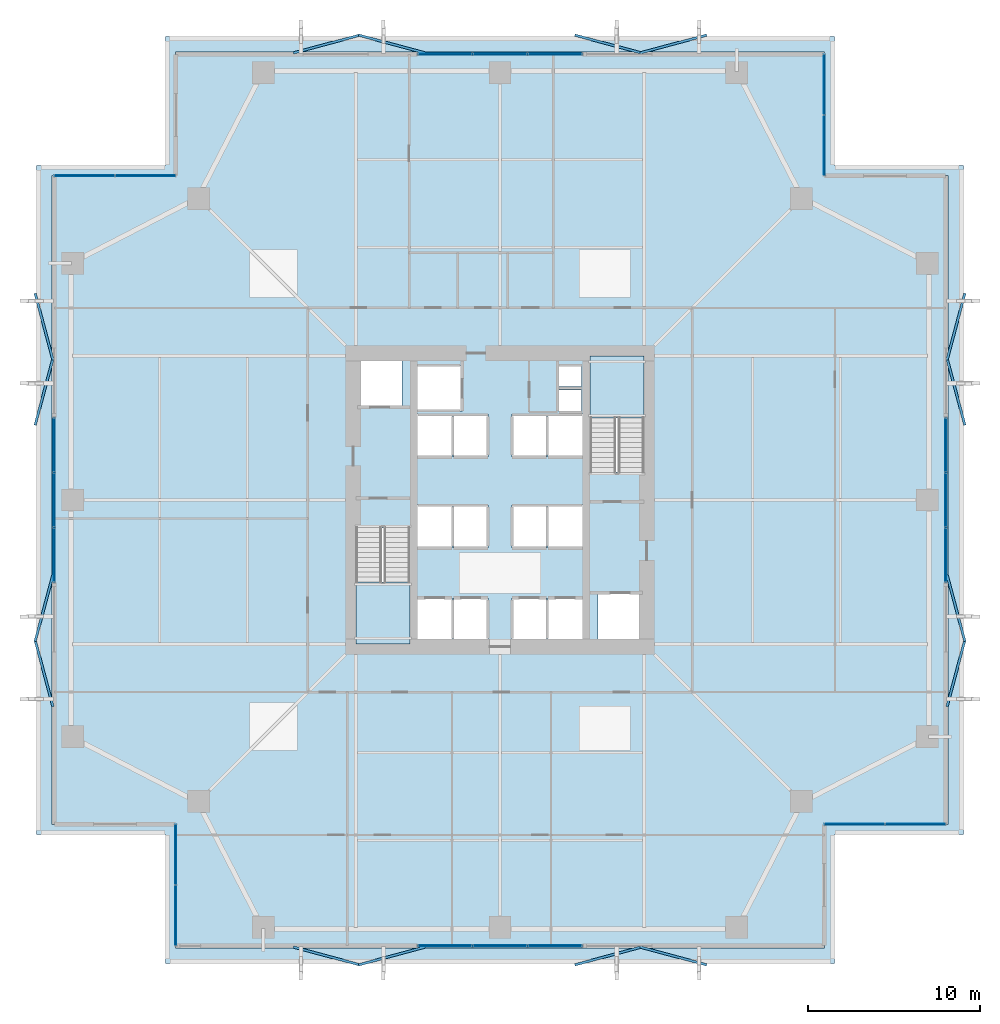
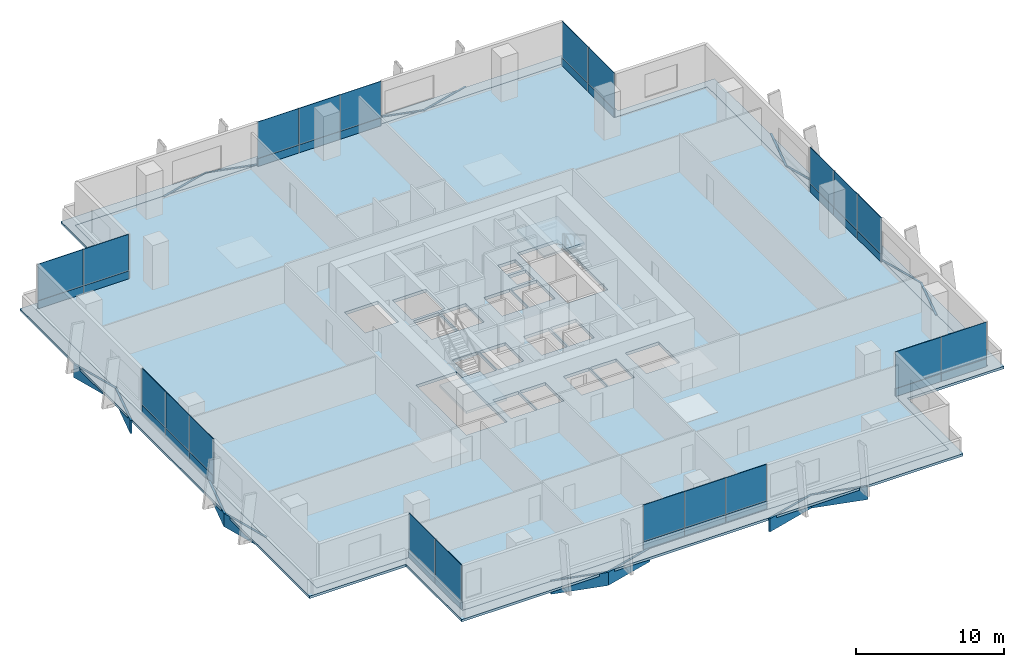
# One storey, part 29 of 34: 56 plates, 4 slabs, 10 elements without a shape of their own.
"""IFC4 building model written with IfcOpenShell, lengths in metres."""

import ifcopenshell
import ifcopenshell.guid

model = None  # the IFC model being written
_history = None  # IfcOwnerHistory: only IFC2X3 demands one
_inside = {}  # id of a spatial element -> (the spatial element, [elements in it])
_under = {}  # id of a project, library or spatial element -> (it, [spatial elements below it])
_declared = {}  # id of a project -> (the project, [libraries it declares])
_typed = {}  # id of a type object -> (the type object, [elements of that type])
_made_of = {}  # id of a material, layer set ... -> (it, [elements and type objects made of it])


def new_model(schema):
    """Start an empty IFC model of exactly this schema.

    Asked for "IFC4X3", IfcOpenShell would pick the latest addendum, in which some entities
    have other attributes; the version numbers below select the first issue.
    IFC2X3 requires an IfcOwnerHistory on every rooted entity: one is made here for all.
    """
    global model, _history
    if schema == "IFC4X3":
        model = ifcopenshell.file(schema_version=(4, 3, 0, 0))
    else:
        model = ifcopenshell.file(schema=schema)
    _inside.clear()
    _under.clear()
    _declared.clear()
    _typed.clear()
    _made_of.clear()
    _history = None
    if model.schema == "IFC2X3":
        org = make("IfcOrganization", Name="unknown")
        user = make(
            "IfcPersonAndOrganization",
            ThePerson=make("IfcPerson", FamilyName="unknown"),
            TheOrganization=org,
        )
        app = make(
            "IfcApplication",
            ApplicationDeveloper=org,
            Version="unknown",
            ApplicationFullName="unknown",
            ApplicationIdentifier="unknown",
        )
        _history = make(
            "IfcOwnerHistory",
            OwningUser=user,
            OwningApplication=app,
            ChangeAction="ADDED",
            CreationDate=0,
        )
    return model


def make(cls, **values):
    """One entity of the class cls with the attributes given. An attribute that is None is left unset."""
    return model.create_entity(
        cls, **{name: value for name, value in values.items() if value is not None}
    )


def rooted(cls, **values):
    """An entity with a GlobalId (a new one), such as an element, a storey or a relation."""
    return make(cls, GlobalId=ifcopenshell.guid.new(), OwnerHistory=_history, **values)


def si_unit(unit_type, name, prefix=None):
    """IfcSIUnit, for example si_unit("LENGTHUNIT", "METRE", prefix="MILLI")."""
    return make("IfcSIUnit", UnitType=unit_type, Prefix=prefix, Name=name)


def assignment(units):
    """IfcUnitAssignment: the units of a project."""
    return None if units is None else make("IfcUnitAssignment", Units=units)


def point(xyz):
    """IfcCartesianPoint."""
    return None if xyz is None else make("IfcCartesianPoint", Coordinates=xyz)


def direction(xyz):
    """IfcDirection."""
    return None if xyz is None else make("IfcDirection", DirectionRatios=xyz)


def frame(location, z_axis=None, x_axis=None):
    """IfcAxis2Placement3D, a coordinate frame: its origin and axes. An axis left out is left unset."""
    return make(
        "IfcAxis2Placement3D",
        Location=point(location),
        Axis=direction(z_axis),
        RefDirection=direction(x_axis),
    )


def frame_2d(location, x_axis=None):
    """IfcAxis2Placement2D, a coordinate frame in the plane: its origin and x axis."""
    return make(
        "IfcAxis2Placement2D", Location=point(location), RefDirection=direction(x_axis)
    )


def origin():
    """The frame at (0, 0, 0) with its axes left unset."""
    return frame((0.0, 0.0, 0.0))


def origin_2d():
    """The frame at (0, 0) in the plane with its x axis left unset."""
    return frame_2d((0.0, 0.0))


def place(relative_to, where):
    """IfcLocalPlacement: puts the frame where relative to a parent placement (None: the world)."""
    return make(
        "IfcLocalPlacement", PlacementRelTo=relative_to, RelativePlacement=where
    )


def context(
    kind, dimensions, precision=None, world=None, true_north=None, identifier=None
):
    """IfcGeometricRepresentationContext, for example the 3D "Model" context."""
    return make(
        "IfcGeometricRepresentationContext",
        ContextIdentifier=identifier,
        ContextType=kind,
        CoordinateSpaceDimension=dimensions,
        Precision=precision,
        WorldCoordinateSystem=world,
        TrueNorth=true_north,
    )


def subcontext(parent, identifier, kind, view, scale=None):
    """IfcGeometricRepresentationSubContext, for example "Body" below "Model"."""
    return make(
        "IfcGeometricRepresentationSubContext",
        ContextIdentifier=identifier,
        ContextType=kind,
        ParentContext=parent,
        TargetScale=scale,
        TargetView=view,
    )


def project(units=None, contexts=None):
    """IfcProject with its units and contexts."""
    return rooted(
        "IfcProject",
        Name="project",
        RepresentationContexts=contexts,
        UnitsInContext=assignment(units),
    )


def spatial(cls, under=None, at=None, **own):
    """A site, building, storey or space (cls), placed at a placement, below another one or the project."""
    s = rooted(cls, ObjectPlacement=at, **own)
    if under is not None:
        _under.setdefault(under.id(), (under, []))[1].append(s)
    return s


def polyline(points):
    """IfcPolyline through the points."""
    return make("IfcPolyline", Points=[point(p) for p in points])


def profile(cls, at=None, kind="AREA", **sizes):
    """A parametric profile (cls). Its sizes go by their IFC names, for example OverallWidth=200.0."""
    return make(cls, ProfileType=kind, Position=at, **sizes)


def rectangle(**sizes):
    """IfcRectangleProfileDef."""
    return profile("IfcRectangleProfileDef", **sizes)


def outline(outer, holes=None, kind="AREA"):
    """IfcArbitraryClosedProfileDef: a profile drawn as a closed curve; with holes, ...WithVoids."""
    if holes is None:
        return make("IfcArbitraryClosedProfileDef", ProfileType=kind, OuterCurve=outer)
    return make(
        "IfcArbitraryProfileDefWithVoids",
        ProfileType=kind,
        OuterCurve=outer,
        InnerCurves=holes,
    )


def extrude(swept, where, along, depth):
    """IfcExtrudedAreaSolid: the profile swept, set in the frame where, extruded along a direction by depth."""
    return make(
        "IfcExtrudedAreaSolid",
        SweptArea=swept,
        Position=where,
        ExtrudedDirection=direction(along),
        Depth=depth,
    )


def shape(context_of_items, identifier, shape_type, items):
    """IfcShapeRepresentation: the items that make up one representation, for example the "Body"."""
    return make(
        "IfcShapeRepresentation",
        ContextOfItems=context_of_items,
        RepresentationIdentifier=identifier,
        RepresentationType=shape_type,
        Items=items,
    )


def material(Name=None, Category=None):
    """IfcMaterial."""
    return make("IfcMaterial", Name=Name, Category=Category)


def layer(
    of_material, thickness, ventilated=None, Name=None, Category=None, Priority=None
):
    """IfcMaterialLayer: one layer of a wall or slab, of a material (None: an air gap)."""
    return make(
        "IfcMaterialLayer",
        Material=of_material,
        LayerThickness=thickness,
        IsVentilated=ventilated,
        Name=Name,
        Category=Category,
        Priority=Priority,
    )


def layer_set(layers, Name=None):
    """IfcMaterialLayerSet."""
    return make("IfcMaterialLayerSet", MaterialLayers=layers, LayerSetName=Name)


def made_of(thing, what):
    """Note that an element or type object is made of a material, layer set ...; save() writes the relation."""
    if what is not None:
        _made_of.setdefault(what.id(), (what, []))[1].append(thing)
    return thing


def type_object(cls, material=None, **own):
    """A type object (cls), such as IfcWallType, which elements share."""
    return made_of(rooted(cls, **own), material)


def element(
    cls,
    number,
    at=None,
    inside=None,
    cuts=None,
    type_object=None,
    material=None,
    context=None,
    identifier="Body",
    shape_type=None,
    held_by="IfcProductDefinitionShape",
    body=None,
    shapes=None,
    **own,
):
    """One element of the class cls, such as IfcWall. Its Tag is "e" and its number.

    at: its placement. inside: the storey or other place that contains it. cuts: it is an
    opening in that element (IfcRelVoidsElement). A single representation is given by context,
    identifier, shape_type and body (its items); several are given by shapes. held_by: the class
    of the entity that holds the representations. save() writes the other relations.
    """
    e = rooted(cls, Tag="e%d" % number, ObjectPlacement=at, **own)
    if body is not None:
        shapes = [shape(context, identifier, shape_type, body)]
    if shapes is not None:
        e.Representation = make(held_by, Representations=shapes)
    if inside is not None:
        _inside.setdefault(inside.id(), (inside, []))[1].append(e)
    if cuts is not None:
        rooted(
            "IfcRelVoidsElement", RelatingBuildingElement=cuts, RelatedOpeningElement=e
        )
    if type_object is not None:
        _typed.setdefault(type_object.id(), (type_object, []))[1].append(e)
    return made_of(e, material)


def aggregate(whole, parts):
    """IfcRelAggregates: a whole, such as a stair, and the parts it consists of."""
    return rooted("IfcRelAggregates", RelatingObject=whole, RelatedObjects=parts)


def save(model, path):
    """Write the relations noted so far, then the file.

    IfcRelAggregates (storeys below a building ...), IfcRelContainedInSpatialStructure (elements
    in a storey), IfcRelDefinesByType, IfcRelAssociatesMaterial and IfcRelDeclares: one each for
    every whole, place, type object, material and project.
    """
    for whole, parts in _under.values():
        aggregate(whole, parts)
    for where, things in _inside.values():
        rooted(
            "IfcRelContainedInSpatialStructure",
            RelatedElements=things,
            RelatingStructure=where,
        )
    for kind, things in _typed.values():
        rooted("IfcRelDefinesByType", RelatedObjects=things, RelatingType=kind)
    for what, things in _made_of.values():
        rooted("IfcRelAssociatesMaterial", RelatedObjects=things, RelatingMaterial=what)
    for by, libraries in _declared.values():
        rooted("IfcRelDeclares", RelatingContext=by, RelatedDefinitions=libraries)
    model.write(path)


model = new_model("IFC4")

# Units and contexts
model_context = context("Model", 3, precision=1e-05, world=origin(), true_north=direction((0.0, 1.0)))
body_context = subcontext(model_context, "Body", "Model", "MODEL_VIEW")
ifc_project = project(units=[si_unit("LENGTHUNIT", "METRE"), si_unit("AREAUNIT", "SQUARE_METRE"), si_unit("VOLUMEUNIT", "CUBIC_METRE"), si_unit("PLANEANGLEUNIT", "RADIAN"), si_unit("MASSUNIT", "GRAM", prefix="KILO")], contexts=[model_context])

# Site, building, storey
site_placement = place(None, origin())
site = spatial("IfcSite", under=ifc_project, at=site_placement, CompositionType="ELEMENT")
building_placement = place(site_placement, origin())
building = spatial("IfcBuilding", under=site, at=building_placement, Name="Belovzor Exchange Tower", CompositionType="ELEMENT")
storey_placement = place(building_placement, frame((0.0, 0.0, 113.39990234375)))
storey = spatial("IfcBuildingStorey", under=building, at=storey_placement, Name="L27", CompositionType="ELEMENT", Elevation=113.39990234375)

# Slab
ifc_material_1 = material(Name="Concrete C40/50", Category="concrete")
ifc_layer_1 = layer(ifc_material_1, 0.25)
ifc_layer_set_1 = layer_set([ifc_layer_1], Name="Concrete C40/50")
slab_type_1 = type_object("IfcSlabType", Name="Composite Concrete Floor Deck Slab 250", PredefinedType="FLOOR", material=ifc_layer_set_1)
slab_1_placement = place(storey_placement, frame((0.0, 0.0, -0.25)))
element("IfcSlab", 1, at=slab_1_placement, inside=storey, type_object=slab_type_1, Name="SL-F250 Structural Slab L27", PredefinedType="FLOOR", context=body_context, shape_type="SweptSolid", body=[
    extrude(outline(polyline([(9.89990234375, 2.699951171875), (47.699951171875, 2.699951171875), (47.699951171875, 9.89990234375), (54.89990234375, 9.89990234375), (54.89990234375, 47.699951171875), (47.699951171875, 47.699951171875), (47.699951171875, 54.89990234375), (9.89990234375, 54.89990234375), (9.89990234375, 47.699951171875), (2.699951171875, 47.699951171875), (2.699951171875, 9.89990234375), (9.89990234375, 9.89990234375), (9.89990234375, 2.699951171875)]), holes=[polyline([(20.39990234375, 27.175048828125), (20.39990234375, 20.39990234375), (23.550048828125, 20.39990234375), (23.550048828125, 27.175048828125), (20.39990234375, 27.175048828125)]), polyline([(37.199951171875, 30.425048828125), (37.199951171875, 37.199951171875), (34.050048828125, 37.199951171875), (34.050048828125, 30.425048828125), (37.199951171875, 30.425048828125)]), polyline([(20.5, 34.199951171875), (23.10009765625, 34.199951171875), (23.10009765625, 37.0), (20.5, 37.0), (20.5, 34.199951171875)]), polyline([(34.5, 20.60009765625), (37.10009765625, 20.60009765625), (37.10009765625, 23.39990234375), (34.5, 23.39990234375), (34.5, 20.60009765625)]), polyline([(24.0, 34.0), (26.60009765625, 34.0), (26.60009765625, 36.60009765625), (24.0, 36.60009765625), (24.0, 34.0)]), polyline([(24.0, 20.60009765625), (26.0, 20.60009765625), (26.0, 23.10009765625), (24.0, 23.10009765625), (24.0, 20.60009765625)]), polyline([(26.10009765625, 20.60009765625), (28.10009765625, 20.60009765625), (28.10009765625, 23.10009765625), (26.10009765625, 23.10009765625), (26.10009765625, 20.60009765625)]), polyline([(29.5, 20.60009765625), (31.5, 20.60009765625), (31.5, 23.10009765625), (29.5, 23.10009765625), (29.5, 20.60009765625)]), polyline([(31.60009765625, 20.60009765625), (33.60009765625, 20.60009765625), (33.60009765625, 23.10009765625), (31.60009765625, 23.10009765625), (31.60009765625, 20.60009765625)]), polyline([(24.0, 26.0), (26.0, 26.0), (26.0, 28.5), (24.0, 28.5), (24.0, 26.0)]), polyline([(26.10009765625, 26.0), (28.10009765625, 26.0), (28.10009765625, 28.5), (26.10009765625, 28.5), (26.10009765625, 26.0)]), polyline([(29.5, 26.0), (31.5, 26.0), (31.5, 28.5), (29.5, 28.5), (29.5, 26.0)]), polyline([(31.60009765625, 26.0), (33.60009765625, 26.0), (33.60009765625, 28.5), (31.60009765625, 28.5), (31.60009765625, 26.0)]), polyline([(24.0, 31.300048828125), (26.0, 31.300048828125), (26.0, 33.800048828125), (24.0, 33.800048828125), (24.0, 31.300048828125)]), polyline([(26.10009765625, 31.300048828125), (28.10009765625, 31.300048828125), (28.10009765625, 33.800048828125), (26.10009765625, 33.800048828125), (26.10009765625, 31.300048828125)]), polyline([(29.5, 31.300048828125), (31.5, 31.300048828125), (31.5, 33.800048828125), (29.5, 33.800048828125), (29.5, 31.300048828125)]), polyline([(31.60009765625, 31.300048828125), (33.60009765625, 31.300048828125), (33.60009765625, 33.800048828125), (31.60009765625, 33.800048828125), (31.60009765625, 31.300048828125)]), polyline([(32.199951171875, 34.0), (33.550048828125, 34.0), (33.550048828125, 35.199951171875), (32.199951171875, 35.199951171875), (32.199951171875, 34.0)]), polyline([(32.199951171875, 35.39990234375), (33.550048828125, 35.39990234375), (33.550048828125, 36.60009765625), (32.199951171875, 36.60009765625), (32.199951171875, 35.39990234375)])]), origin(), (0.0, 0.0, 1.0), 0.25),
])

# Curtain wall, plates
ifc_material_2 = material(Name="Anodised Aluminium Framing", Category="aluminium")
ifc_layer_2 = layer(ifc_material_2, 0.179931640625)
ifc_layer_set_2 = layer_set([ifc_layer_2], Name="Anodised Aluminium Framing")
curtain_wall_type_1 = type_object("IfcCurtainWallType", Name="Recessed Loggia Low-Iron Triple-Glazed Curtain Wall", PredefinedType="NOTDEFINED", material=ifc_layer_set_2)
curtain_wall_1_placement = place(storey_placement, origin())
curtain_wall_1 = element("IfcCurtainWall", 2, at=curtain_wall_1_placement, inside=storey, type_object=curtain_wall_type_1, Name="CW3 Recessed Loggia Low-Iron Triple-Glazed Curtain Wall L27", PredefinedType="NOTDEFINED")
ifc_material_3 = material(Name="Solar-Control Triple Glazing", Category="glass")
ifc_layer_3 = layer(ifc_material_3, 0.0439453125)
ifc_layer_set_3 = layer_set([ifc_layer_3], Name="Solar-Control Triple Glazing")
plate_type_1 = type_object("IfcPlateType", Name="Insulated Solar Glazing Curtain Panel 44", PredefinedType="CURTAIN_PANEL", material=ifc_layer_set_3)
plate_1_placement = place(storey_placement, frame((32.0, 2.830078125, 0.652099609375), z_axis=(0.0, 0.0, 1.0), x_axis=(-1.0, 0.0, 0.0)))
plate_1 = element("IfcPlate", 3, at=plate_1_placement, type_object=plate_type_1, Name="GLZ-44 Glazed Curtain Panel 1", PredefinedType="CURTAIN_PANEL", context=body_context, shape_type="SweptSolid", body=[
    extrude(rectangle(XDim=3.18408203125, YDim=0.0439453125, at=origin_2d()), origin(), (0.0, 0.0, 1.0), 2.998046875),
])
plate_2_placement = place(storey_placement, frame((28.800048828125, 2.830078125, 0.652099609375), z_axis=(0.0, 0.0, 1.0), x_axis=(-1.0, 0.0, 0.0)))
plate_2 = element("IfcPlate", 4, at=plate_2_placement, type_object=plate_type_1, Name="GLZ-44 Glazed Curtain Panel 2", PredefinedType="CURTAIN_PANEL", context=body_context, shape_type="SweptSolid", body=[
    extrude(rectangle(XDim=3.18408203125, YDim=0.0439453125, at=origin_2d()), origin(), (0.0, 0.0, 1.0), 2.998046875),
])
plate_3_placement = place(storey_placement, frame((25.60009765625, 2.830078125, 0.652099609375), z_axis=(0.0, 0.0, 1.0), x_axis=(-1.0, 0.0, 0.0)))
plate_3 = element("IfcPlate", 5, at=plate_3_placement, type_object=plate_type_1, Name="GLZ-44 Glazed Curtain Panel 3", PredefinedType="CURTAIN_PANEL", context=body_context, shape_type="SweptSolid", body=[
    extrude(rectangle(XDim=3.18408203125, YDim=0.0439453125, at=origin_2d()), origin(), (0.0, 0.0, 1.0), 2.998046875),
])

curtain_wall_2_placement = place(storey_placement, origin())
curtain_wall_2 = element("IfcCurtainWall", 6, at=curtain_wall_2_placement, inside=storey, type_object=curtain_wall_type_1, Name="CW3 Recessed Loggia Low-Iron Triple-Glazed Curtain Wall L27", PredefinedType="NOTDEFINED")
plate_4_placement = place(storey_placement, frame((25.60009765625, 54.77001953125, 0.652099609375), z_axis=(0.0, 0.0, 1.0), x_axis=(1.0, 0.0, 0.0)))
plate_4 = element("IfcPlate", 7, at=plate_4_placement, type_object=plate_type_1, Name="GLZ-44 Glazed Curtain Panel 1", PredefinedType="CURTAIN_PANEL", context=body_context, shape_type="SweptSolid", body=[
    extrude(rectangle(XDim=3.18408203125, YDim=0.0439453125, at=origin_2d()), origin(), (0.0, 0.0, 1.0), 2.998046875),
])
plate_5_placement = place(storey_placement, frame((28.800048828125, 54.77001953125, 0.652099609375), z_axis=(0.0, 0.0, 1.0), x_axis=(1.0, 0.0, 0.0)))
plate_5 = element("IfcPlate", 8, at=plate_5_placement, type_object=plate_type_1, Name="GLZ-44 Glazed Curtain Panel 2", PredefinedType="CURTAIN_PANEL", context=body_context, shape_type="SweptSolid", body=[
    extrude(rectangle(XDim=3.18408203125, YDim=0.0439453125, at=origin_2d()), origin(), (0.0, 0.0, 1.0), 2.998046875),
])
plate_6_placement = place(storey_placement, frame((32.0, 54.77001953125, 0.652099609375), z_axis=(0.0, 0.0, 1.0), x_axis=(1.0, 0.0, 0.0)))
plate_6 = element("IfcPlate", 9, at=plate_6_placement, type_object=plate_type_1, Name="GLZ-44 Glazed Curtain Panel 3", PredefinedType="CURTAIN_PANEL", context=body_context, shape_type="SweptSolid", body=[
    extrude(rectangle(XDim=3.18408203125, YDim=0.0439453125, at=origin_2d()), origin(), (0.0, 0.0, 1.0), 2.998046875),
])

curtain_wall_3_placement = place(storey_placement, origin())
curtain_wall_3 = element("IfcCurtainWall", 10, at=curtain_wall_3_placement, inside=storey, type_object=curtain_wall_type_1, Name="CW3 Recessed Loggia Low-Iron Triple-Glazed Curtain Wall L27", PredefinedType="NOTDEFINED")
plate_7_placement = place(storey_placement, frame((2.830078125, 25.60009765625, 0.652099609375), z_axis=(0.0, 0.0, 1.0), x_axis=(0.0, 1.0, 0.0)))
plate_7 = element("IfcPlate", 11, at=plate_7_placement, type_object=plate_type_1, Name="GLZ-44 Glazed Curtain Panel 1", PredefinedType="CURTAIN_PANEL", context=body_context, shape_type="SweptSolid", body=[
    extrude(rectangle(XDim=3.18408203125, YDim=0.0439453125, at=origin_2d()), origin(), (0.0, 0.0, 1.0), 2.998046875),
])
plate_8_placement = place(storey_placement, frame((2.830078125, 28.800048828125, 0.652099609375), z_axis=(0.0, 0.0, 1.0), x_axis=(0.0, 1.0, 0.0)))
plate_8 = element("IfcPlate", 12, at=plate_8_placement, type_object=plate_type_1, Name="GLZ-44 Glazed Curtain Panel 2", PredefinedType="CURTAIN_PANEL", context=body_context, shape_type="SweptSolid", body=[
    extrude(rectangle(XDim=3.18408203125, YDim=0.0439453125, at=origin_2d()), origin(), (0.0, 0.0, 1.0), 2.998046875),
])
plate_9_placement = place(storey_placement, frame((2.830078125, 32.0, 0.652099609375), z_axis=(0.0, 0.0, 1.0), x_axis=(0.0, 1.0, 0.0)))
plate_9 = element("IfcPlate", 13, at=plate_9_placement, type_object=plate_type_1, Name="GLZ-44 Glazed Curtain Panel 3", PredefinedType="CURTAIN_PANEL", context=body_context, shape_type="SweptSolid", body=[
    extrude(rectangle(XDim=3.18408203125, YDim=0.0439453125, at=origin_2d()), origin(), (0.0, 0.0, 1.0), 2.998046875),
])

curtain_wall_4_placement = place(storey_placement, origin())
curtain_wall_4 = element("IfcCurtainWall", 14, at=curtain_wall_4_placement, inside=storey, type_object=curtain_wall_type_1, Name="CW3 Recessed Loggia Low-Iron Triple-Glazed Curtain Wall L27", PredefinedType="NOTDEFINED")
plate_10_placement = place(storey_placement, frame((54.77001953125, 32.0, 0.652099609375), z_axis=(0.0, 0.0, 1.0), x_axis=(0.0, -1.0, 0.0)))
plate_10 = element("IfcPlate", 15, at=plate_10_placement, type_object=plate_type_1, Name="GLZ-44 Glazed Curtain Panel 1", PredefinedType="CURTAIN_PANEL", context=body_context, shape_type="SweptSolid", body=[
    extrude(rectangle(XDim=3.18408203125, YDim=0.0439453125, at=origin_2d()), origin(), (0.0, 0.0, 1.0), 2.998046875),
])
plate_11_placement = place(storey_placement, frame((54.77001953125, 28.800048828125, 0.652099609375), z_axis=(0.0, 0.0, 1.0), x_axis=(0.0, -1.0, 0.0)))
plate_11 = element("IfcPlate", 16, at=plate_11_placement, type_object=plate_type_1, Name="GLZ-44 Glazed Curtain Panel 2", PredefinedType="CURTAIN_PANEL", context=body_context, shape_type="SweptSolid", body=[
    extrude(rectangle(XDim=3.18408203125, YDim=0.0439453125, at=origin_2d()), origin(), (0.0, 0.0, 1.0), 2.998046875),
])
plate_12_placement = place(storey_placement, frame((54.77001953125, 25.60009765625, 0.652099609375), z_axis=(0.0, 0.0, 1.0), x_axis=(0.0, -1.0, 0.0)))
plate_12 = element("IfcPlate", 17, at=plate_12_placement, type_object=plate_type_1, Name="GLZ-44 Glazed Curtain Panel 3", PredefinedType="CURTAIN_PANEL", context=body_context, shape_type="SweptSolid", body=[
    extrude(rectangle(XDim=3.18408203125, YDim=0.0439453125, at=origin_2d()), origin(), (0.0, 0.0, 1.0), 2.998046875),
])

ifc_material_4 = material(Name="Anodised Aluminium Framing", Category="aluminium")
ifc_layer_4 = layer(ifc_material_4, 0.195068359375)
ifc_layer_set_4 = layer_set([ifc_layer_4], Name="Anodised Aluminium Framing")
curtain_wall_type_2 = type_object("IfcCurtainWallType", Name="Notched Re-Entrant Corner Unitised Curtain Wall", PredefinedType="NOTDEFINED", material=ifc_layer_set_4)
curtain_wall_5_placement = place(storey_placement, origin())
curtain_wall_5 = element("IfcCurtainWall", 18, at=curtain_wall_5_placement, inside=storey, type_object=curtain_wall_type_2, Name="CW5 Notched Re-Entrant Corner Unitised Curtain Wall L27", PredefinedType="NOTDEFINED")
plate_13_placement = place(storey_placement, frame((9.89990234375, 4.597900390625, 0.652099609375), z_axis=(0.0, 0.0, 1.0), x_axis=(0.0, 1.0, 0.0)))
plate_13 = element("IfcPlate", 19, at=plate_13_placement, type_object=plate_type_1, Name="GLZ-44 Glazed Curtain Panel 1", PredefinedType="CURTAIN_PANEL", context=body_context, shape_type="SweptSolid", body=[
    extrude(rectangle(XDim=3.51904296875, YDim=0.0439453125, at=origin_2d()), origin(), (0.0, 0.0, 1.0), 2.998046875),
])
plate_14_placement = place(storey_placement, frame((9.89990234375, 8.133056640625, 0.652099609375), z_axis=(0.0, 0.0, 1.0), x_axis=(0.0, 1.0, 0.0)))
plate_14 = element("IfcPlate", 20, at=plate_14_placement, type_object=plate_type_1, Name="GLZ-44 Glazed Curtain Panel 2", PredefinedType="CURTAIN_PANEL", context=body_context, shape_type="SweptSolid", body=[
    extrude(rectangle(XDim=3.51904296875, YDim=0.0439453125, at=origin_2d()), origin(), (0.0, 0.0, 1.0), 2.998046875),
])

curtain_wall_6_placement = place(storey_placement, origin())
curtain_wall_6 = element("IfcCurtainWall", 21, at=curtain_wall_6_placement, inside=storey, type_object=curtain_wall_type_2, Name="CW5 Notched Re-Entrant Corner Unitised Curtain Wall L27", PredefinedType="NOTDEFINED")
plate_15_placement = place(storey_placement, frame((4.597900390625, 47.699951171875, 0.652099609375), z_axis=(0.0, 0.0, 1.0), x_axis=(1.0, 0.0, 0.0)))
plate_15 = element("IfcPlate", 22, at=plate_15_placement, type_object=plate_type_1, Name="GLZ-44 Glazed Curtain Panel 1", PredefinedType="CURTAIN_PANEL", context=body_context, shape_type="SweptSolid", body=[
    extrude(rectangle(XDim=3.51904296875, YDim=0.0439453125, at=origin_2d()), origin(), (0.0, 0.0, 1.0), 2.998046875),
])
plate_16_placement = place(storey_placement, frame((8.133056640625, 47.699951171875, 0.652099609375), z_axis=(0.0, 0.0, 1.0), x_axis=(1.0, 0.0, 0.0)))
plate_16 = element("IfcPlate", 23, at=plate_16_placement, type_object=plate_type_1, Name="GLZ-44 Glazed Curtain Panel 2", PredefinedType="CURTAIN_PANEL", context=body_context, shape_type="SweptSolid", body=[
    extrude(rectangle(XDim=3.51904296875, YDim=0.0439453125, at=origin_2d()), origin(), (0.0, 0.0, 1.0), 2.998046875),
])

curtain_wall_7_placement = place(storey_placement, origin())
curtain_wall_7 = element("IfcCurtainWall", 24, at=curtain_wall_7_placement, inside=storey, type_object=curtain_wall_type_2, Name="CW5 Notched Re-Entrant Corner Unitised Curtain Wall L27", PredefinedType="NOTDEFINED")
plate_17_placement = place(storey_placement, frame((47.699951171875, 53.0029296875, 0.652099609375), z_axis=(0.0, 0.0, 1.0), x_axis=(0.0, -1.0, 0.0)))
plate_17 = element("IfcPlate", 25, at=plate_17_placement, type_object=plate_type_1, Name="GLZ-44 Glazed Curtain Panel 1", PredefinedType="CURTAIN_PANEL", context=body_context, shape_type="SweptSolid", body=[
    extrude(rectangle(XDim=3.51904296875, YDim=0.0439453125, at=origin_2d()), origin(), (0.0, 0.0, 1.0), 2.998046875),
])
plate_18_placement = place(storey_placement, frame((47.699951171875, 49.468017578125, 0.652099609375), z_axis=(0.0, 0.0, 1.0), x_axis=(0.0, -1.0, 0.0)))
plate_18 = element("IfcPlate", 26, at=plate_18_placement, type_object=plate_type_1, Name="GLZ-44 Glazed Curtain Panel 2", PredefinedType="CURTAIN_PANEL", context=body_context, shape_type="SweptSolid", body=[
    extrude(rectangle(XDim=3.51904296875, YDim=0.0439453125, at=origin_2d()), origin(), (0.0, 0.0, 1.0), 2.998046875),
])

curtain_wall_8_placement = place(storey_placement, origin())
curtain_wall_8 = element("IfcCurtainWall", 27, at=curtain_wall_8_placement, inside=storey, type_object=curtain_wall_type_2, Name="CW5 Notched Re-Entrant Corner Unitised Curtain Wall L27", PredefinedType="NOTDEFINED")
plate_19_placement = place(storey_placement, frame((53.0029296875, 9.89990234375, 0.652099609375), z_axis=(0.0, 0.0, 1.0), x_axis=(-1.0, 0.0, 0.0)))
plate_19 = element("IfcPlate", 28, at=plate_19_placement, type_object=plate_type_1, Name="GLZ-44 Glazed Curtain Panel 1", PredefinedType="CURTAIN_PANEL", context=body_context, shape_type="SweptSolid", body=[
    extrude(rectangle(XDim=3.51904296875, YDim=0.0439453125, at=origin_2d()), origin(), (0.0, 0.0, 1.0), 2.998046875),
])
plate_20_placement = place(storey_placement, frame((49.468017578125, 9.89990234375, 0.652099609375), z_axis=(0.0, 0.0, 1.0), x_axis=(-1.0, 0.0, 0.0)))
plate_20 = element("IfcPlate", 29, at=plate_20_placement, type_object=plate_type_1, Name="GLZ-44 Glazed Curtain Panel 2", PredefinedType="CURTAIN_PANEL", context=body_context, shape_type="SweptSolid", body=[
    extrude(rectangle(XDim=3.51904296875, YDim=0.0439453125, at=origin_2d()), origin(), (0.0, 0.0, 1.0), 2.998046875),
])

# Plates
ifc_material_5 = material(Name="Extruded Architectural Terracotta", Category="masonry")
ifc_layer_5 = layer(ifc_material_5, 0.139892578125)
ifc_layer_set_5 = layer_set([ifc_layer_5], Name="Extruded Architectural Terracotta")
plate_type_2 = type_object("IfcPlateType", Name="Mid-Tower Folded Zigzag Terracotta Spandrel Louvre 120", PredefinedType="USERDEFINED", material=ifc_layer_set_5)
for number, where, z_axis, x_axis, name in (
    (30, (18.699951171875, 2.22998046875, -1.06494140625), (0.0, 0.0, 1.0), (0.965812803231, -0.259240485101, 0.0), "LVR-ZZ2 Zigzag Terracotta Spandrel Louvre L27 S1A"),
    (31, (22.5, 2.22998046875, -1.06494140625), (0.0, 0.0, 1.0), (0.965812803231, 0.259240485101, 0.0), "LVR-ZZ2 Zigzag Terracotta Spandrel Louvre L27 S1B"),
    (32, (18.699951171875, 55.3701171875, -1.06494140625), (0.0, 0.0, 1.0), (0.965812803231, 0.259240485101, 0.0), "LVR-ZZ2 Zigzag Terracotta Spandrel Louvre L27 N1A"),
    (33, (22.5, 55.3701171875, -1.06494140625), (0.0, 0.0, 1.0), (0.965812803231, -0.259240485101, 0.0), "LVR-ZZ2 Zigzag Terracotta Spandrel Louvre L27 N1B"),
    (34, (2.22998046875, 18.699951171875, -1.06494140625), (0.0, 0.0, 1.0), (-0.259240485101, 0.965812803231, 0.0), "LVR-ZZ2 Zigzag Terracotta Spandrel Louvre L27 W1A"),
    (35, (2.22998046875, 22.5, -1.06494140625), (0.0, 0.0, 1.0), (0.259240485101, 0.965812803231, 0.0), "LVR-ZZ2 Zigzag Terracotta Spandrel Louvre L27 W1B"),
    (36, (55.3701171875, 18.699951171875, -1.06494140625), (0.0, 0.0, 1.0), (0.259240485101, 0.965812803231, 0.0), "LVR-ZZ2 Zigzag Terracotta Spandrel Louvre L27 E1A"),
    (37, (55.3701171875, 22.5, -1.06494140625), (0.0, 0.0, 1.0), (-0.259240485101, 0.965812803231, 0.0), "LVR-ZZ2 Zigzag Terracotta Spandrel Louvre L27 E1B"),
    (38, (35.10009765625, 2.22998046875, -1.06494140625), (0.0, 0.0, 1.0), (0.965812803231, 0.259240485101, 0.0), "LVR-ZZ2 Zigzag Terracotta Spandrel Louvre L27 S2A"),
    (39, (38.89990234375, 2.22998046875, -1.06494140625), (0.0, 0.0, 1.0), (0.965812803231, -0.259240485101, 0.0), "LVR-ZZ2 Zigzag Terracotta Spandrel Louvre L27 S2B"),
    (40, (35.10009765625, 55.3701171875, -1.06494140625), (0.0, 0.0, 1.0), (0.965812803231, -0.259240485101, 0.0), "LVR-ZZ2 Zigzag Terracotta Spandrel Louvre L27 N2A"),
    (41, (38.89990234375, 55.3701171875, -1.06494140625), (0.0, 0.0, 1.0), (0.965812803231, 0.259240485101, 0.0), "LVR-ZZ2 Zigzag Terracotta Spandrel Louvre L27 N2B"),
    (42, (2.22998046875, 35.10009765625, -1.06494140625), (0.0, 0.0, 1.0), (0.259240485101, 0.965812803231, 0.0), "LVR-ZZ2 Zigzag Terracotta Spandrel Louvre L27 W2A"),
    (43, (2.22998046875, 38.89990234375, -1.06494140625), (0.0, 0.0, 1.0), (-0.259240485101, 0.965812803231, 0.0), "LVR-ZZ2 Zigzag Terracotta Spandrel Louvre L27 W2B"),
    (44, (55.3701171875, 35.10009765625, -1.06494140625), (0.0, 0.0, 1.0), (-0.259240485101, 0.965812803231, 0.0), "LVR-ZZ2 Zigzag Terracotta Spandrel Louvre L27 E2A"),
    (45, (55.3701171875, 38.89990234375, -1.06494140625), (0.0, 0.0, 1.0), (0.259240485101, 0.965812803231, 0.0), "LVR-ZZ2 Zigzag Terracotta Spandrel Louvre L27 E2B"),
):
    element("IfcPlate", number, at=place(storey_placement, frame(where, z_axis=z_axis, x_axis=x_axis)), inside=storey, type_object=plate_type_2, Name=name, ObjectType="SPANDREL_LOUVRE", PredefinedType="USERDEFINED", context=body_context, shape_type="SweptSolid", body=[
        extrude(rectangle(XDim=4.014892578125, YDim=0.139892578125, at=origin_2d()), origin(), (0.0, 0.0, 1.0), 1.080078125),
    ])

# Stair, slab
ifc_material_6 = material(Name="Concrete C40/50", Category="concrete")
stair_type = type_object("IfcStairType", Name="Reinforced Concrete Dogleg Escape Stair 1350", PredefinedType="HALF_TURN_STAIR", material=ifc_material_6)
stair_1_placement = place(storey_placement, origin())
stair_1 = element("IfcStair", 46, at=stair_1_placement, inside=storey, type_object=stair_type, Name="L27 ST-1", PredefinedType="HALF_TURN_STAIR")
ifc_material_7 = material(Name="Concrete C40/50", Category="concrete")
ifc_layer_6 = layer(ifc_material_7, 0.199951171875)
ifc_layer_set_6 = layer_set([ifc_layer_6], Name="Concrete C40/50")
slab_type_2 = type_object("IfcSlabType", Name="Reinforced Concrete Stair Half-Landing Slab 200", PredefinedType="LANDING", material=ifc_layer_set_6)
slab_2_placement = place(storey_placement, frame((0.0, 0.0, 1.75)))
slab_2 = element("IfcSlab", 47, at=slab_2_placement, type_object=slab_type_2, Name="ST-1 landing 1", PredefinedType="LANDING", context=body_context, shape_type="SweptSolid", body=[
    extrude(outline(polyline([(20.39990234375, 24.010009765625), (20.39990234375, 20.39990234375), (23.550048828125, 20.39990234375), (23.550048828125, 24.010009765625), (20.39990234375, 24.010009765625)])), origin(), (0.0, 0.0, 1.0), 0.2001953125),
])
aggregate(stair_1, [slab_2])

stair_2_placement = place(storey_placement, origin())
stair_2 = element("IfcStair", 48, at=stair_2_placement, inside=storey, type_object=stair_type, Name="L27 ST-2", PredefinedType="HALF_TURN_STAIR")
slab_3_placement = place(storey_placement, frame((0.0, 0.0, 1.75)))
slab_3 = element("IfcSlab", 49, at=slab_3_placement, type_object=slab_type_2, Name="ST-2 landing 1", PredefinedType="LANDING", context=body_context, shape_type="SweptSolid", body=[
    extrude(outline(polyline([(37.199951171875, 33.590087890625), (37.199951171875, 37.199951171875), (34.050048828125, 37.199951171875), (34.050048828125, 33.590087890625), (37.199951171875, 33.590087890625)])), origin(), (0.0, 0.0, 1.0), 0.2001953125),
])
aggregate(stair_2, [slab_3])

# Slab
ifc_material_8 = material(Name="Concrete C40/50", Category="concrete")
ifc_layer_7 = layer(ifc_material_8, 0.199951171875)
ifc_layer_set_7 = layer_set([ifc_layer_7], Name="Concrete C40/50")
slab_type_3 = type_object("IfcSlabType", Name="Setback Weathering Roof Ring Slab 200", PredefinedType="ROOF", material=ifc_layer_set_7)
slab_4_placement = place(storey_placement, frame((0.0, 0.0, -0.199951171875)))
element("IfcSlab", 50, at=slab_4_placement, inside=storey, type_object=slab_type_3, Name="SL-RF200A Setback Weathering Roof Ring L26", PredefinedType="ROOF", context=body_context, shape_type="SweptSolid", body=[
    extrude(outline(polyline([(9.300048828125, 1.800048828125), (48.300048828125, 1.800048828125), (48.300048828125, 9.300048828125), (55.800048828125, 9.300048828125), (55.800048828125, 48.300048828125), (48.300048828125, 48.300048828125), (48.300048828125, 55.800048828125), (9.300048828125, 55.800048828125), (9.300048828125, 48.300048828125), (1.800048828125, 48.300048828125), (1.800048828125, 9.300048828125), (9.300048828125, 9.300048828125), (9.300048828125, 1.800048828125)]), holes=[polyline([(9.89990234375, 2.699951171875), (47.699951171875, 2.699951171875), (47.699951171875, 9.89990234375), (54.89990234375, 9.89990234375), (54.89990234375, 47.699951171875), (47.699951171875, 47.699951171875), (47.699951171875, 54.89990234375), (9.89990234375, 54.89990234375), (9.89990234375, 47.699951171875), (2.699951171875, 47.699951171875), (2.699951171875, 9.89990234375), (9.89990234375, 9.89990234375), (9.89990234375, 2.699951171875)])]), origin(), (0.0, 0.0, 1.0), 0.199951171875),
])

# Plate
ifc_material_9 = material(Name="Extruded Architectural Terracotta", Category="masonry")
ifc_layer_8 = layer(ifc_material_9, 0.090087890625)
ifc_layer_set_8 = layer_set([ifc_layer_8], Name="Extruded Architectural Terracotta")
plate_type_3 = type_object("IfcPlateType", Name="Terracotta Shadow-Box Spandrel Panel 90", PredefinedType="CURTAIN_PANEL", material=ifc_layer_set_8)
plate_21_placement = place(storey_placement, frame((32.0, 2.830078125, 0.000244140625), z_axis=(0.0, 0.0, 1.0), x_axis=(-1.0, 0.0, 0.0)))
plate_21 = element("IfcPlate", 51, at=plate_21_placement, type_object=plate_type_3, Name="SPD-90 Spandrel Panel 1", PredefinedType="CURTAIN_PANEL", context=body_context, shape_type="SweptSolid", body=[
    extrude(rectangle(XDim=3.18408203125, YDim=0.090087890625, at=origin_2d()), origin(), (0.0, 0.0, 1.0), 0.64794921875),
])

plate_22_placement = place(storey_placement, frame((28.800048828125, 2.830078125, 0.000244140625), z_axis=(0.0, 0.0, 1.0), x_axis=(-1.0, 0.0, 0.0)))
plate_22 = element("IfcPlate", 52, at=plate_22_placement, type_object=plate_type_3, Name="SPD-90 Spandrel Panel 2", PredefinedType="CURTAIN_PANEL", context=body_context, shape_type="SweptSolid", body=[
    extrude(rectangle(XDim=3.18408203125, YDim=0.090087890625, at=origin_2d()), origin(), (0.0, 0.0, 1.0), 0.64794921875),
])

plate_23_placement = place(storey_placement, frame((25.60009765625, 2.830078125, 0.000244140625), z_axis=(0.0, 0.0, 1.0), x_axis=(-1.0, 0.0, 0.0)))
plate_23 = element("IfcPlate", 53, at=plate_23_placement, type_object=plate_type_3, Name="SPD-90 Spandrel Panel 3", PredefinedType="CURTAIN_PANEL", context=body_context, shape_type="SweptSolid", body=[
    extrude(rectangle(XDim=3.18408203125, YDim=0.090087890625, at=origin_2d()), origin(), (0.0, 0.0, 1.0), 0.64794921875),
])

aggregate(curtain_wall_1, [plate_21, plate_1, plate_22, plate_2, plate_23, plate_3])

plate_24_placement = place(storey_placement, frame((25.60009765625, 54.77001953125, 0.000244140625), z_axis=(0.0, 0.0, 1.0), x_axis=(1.0, 0.0, 0.0)))
plate_24 = element("IfcPlate", 54, at=plate_24_placement, type_object=plate_type_3, Name="SPD-90 Spandrel Panel 1", PredefinedType="CURTAIN_PANEL", context=body_context, shape_type="SweptSolid", body=[
    extrude(rectangle(XDim=3.18408203125, YDim=0.090087890625, at=origin_2d()), origin(), (0.0, 0.0, 1.0), 0.64794921875),
])

plate_25_placement = place(storey_placement, frame((28.800048828125, 54.77001953125, 0.000244140625), z_axis=(0.0, 0.0, 1.0), x_axis=(1.0, 0.0, 0.0)))
plate_25 = element("IfcPlate", 55, at=plate_25_placement, type_object=plate_type_3, Name="SPD-90 Spandrel Panel 2", PredefinedType="CURTAIN_PANEL", context=body_context, shape_type="SweptSolid", body=[
    extrude(rectangle(XDim=3.18408203125, YDim=0.090087890625, at=origin_2d()), origin(), (0.0, 0.0, 1.0), 0.64794921875),
])

plate_26_placement = place(storey_placement, frame((32.0, 54.77001953125, 0.000244140625), z_axis=(0.0, 0.0, 1.0), x_axis=(1.0, 0.0, 0.0)))
plate_26 = element("IfcPlate", 56, at=plate_26_placement, type_object=plate_type_3, Name="SPD-90 Spandrel Panel 3", PredefinedType="CURTAIN_PANEL", context=body_context, shape_type="SweptSolid", body=[
    extrude(rectangle(XDim=3.18408203125, YDim=0.090087890625, at=origin_2d()), origin(), (0.0, 0.0, 1.0), 0.64794921875),
])

aggregate(curtain_wall_2, [plate_24, plate_4, plate_25, plate_5, plate_26, plate_6])

plate_27_placement = place(storey_placement, frame((2.830078125, 25.60009765625, 0.000244140625), z_axis=(0.0, 0.0, 1.0), x_axis=(0.0, 1.0, 0.0)))
plate_27 = element("IfcPlate", 57, at=plate_27_placement, type_object=plate_type_3, Name="SPD-90 Spandrel Panel 1", PredefinedType="CURTAIN_PANEL", context=body_context, shape_type="SweptSolid", body=[
    extrude(rectangle(XDim=3.18408203125, YDim=0.090087890625, at=origin_2d()), origin(), (0.0, 0.0, 1.0), 0.64794921875),
])

plate_28_placement = place(storey_placement, frame((2.830078125, 28.800048828125, 0.000244140625), z_axis=(0.0, 0.0, 1.0), x_axis=(0.0, 1.0, 0.0)))
plate_28 = element("IfcPlate", 58, at=plate_28_placement, type_object=plate_type_3, Name="SPD-90 Spandrel Panel 2", PredefinedType="CURTAIN_PANEL", context=body_context, shape_type="SweptSolid", body=[
    extrude(rectangle(XDim=3.18408203125, YDim=0.090087890625, at=origin_2d()), origin(), (0.0, 0.0, 1.0), 0.64794921875),
])

plate_29_placement = place(storey_placement, frame((2.830078125, 32.0, 0.000244140625), z_axis=(0.0, 0.0, 1.0), x_axis=(0.0, 1.0, 0.0)))
plate_29 = element("IfcPlate", 59, at=plate_29_placement, type_object=plate_type_3, Name="SPD-90 Spandrel Panel 3", PredefinedType="CURTAIN_PANEL", context=body_context, shape_type="SweptSolid", body=[
    extrude(rectangle(XDim=3.18408203125, YDim=0.090087890625, at=origin_2d()), origin(), (0.0, 0.0, 1.0), 0.64794921875),
])

aggregate(curtain_wall_3, [plate_27, plate_7, plate_28, plate_8, plate_29, plate_9])

plate_30_placement = place(storey_placement, frame((54.77001953125, 32.0, 0.000244140625), z_axis=(0.0, 0.0, 1.0), x_axis=(0.0, -1.0, 0.0)))
plate_30 = element("IfcPlate", 60, at=plate_30_placement, type_object=plate_type_3, Name="SPD-90 Spandrel Panel 1", PredefinedType="CURTAIN_PANEL", context=body_context, shape_type="SweptSolid", body=[
    extrude(rectangle(XDim=3.18408203125, YDim=0.090087890625, at=origin_2d()), origin(), (0.0, 0.0, 1.0), 0.64794921875),
])

plate_31_placement = place(storey_placement, frame((54.77001953125, 28.800048828125, 0.000244140625), z_axis=(0.0, 0.0, 1.0), x_axis=(0.0, -1.0, 0.0)))
plate_31 = element("IfcPlate", 61, at=plate_31_placement, type_object=plate_type_3, Name="SPD-90 Spandrel Panel 2", PredefinedType="CURTAIN_PANEL", context=body_context, shape_type="SweptSolid", body=[
    extrude(rectangle(XDim=3.18408203125, YDim=0.090087890625, at=origin_2d()), origin(), (0.0, 0.0, 1.0), 0.64794921875),
])

plate_32_placement = place(storey_placement, frame((54.77001953125, 25.60009765625, 0.000244140625), z_axis=(0.0, 0.0, 1.0), x_axis=(0.0, -1.0, 0.0)))
plate_32 = element("IfcPlate", 62, at=plate_32_placement, type_object=plate_type_3, Name="SPD-90 Spandrel Panel 3", PredefinedType="CURTAIN_PANEL", context=body_context, shape_type="SweptSolid", body=[
    extrude(rectangle(XDim=3.18408203125, YDim=0.090087890625, at=origin_2d()), origin(), (0.0, 0.0, 1.0), 0.64794921875),
])

aggregate(curtain_wall_4, [plate_30, plate_10, plate_31, plate_11, plate_32, plate_12])

plate_33_placement = place(storey_placement, frame((9.89990234375, 4.597900390625, 0.000244140625), z_axis=(0.0, 0.0, 1.0), x_axis=(0.0, 1.0, 0.0)))
plate_33 = element("IfcPlate", 63, at=plate_33_placement, type_object=plate_type_3, Name="SPD-90 Spandrel Panel 1", PredefinedType="CURTAIN_PANEL", context=body_context, shape_type="SweptSolid", body=[
    extrude(rectangle(XDim=3.51904296875, YDim=0.090087890625, at=origin_2d()), origin(), (0.0, 0.0, 1.0), 0.64794921875),
])

plate_34_placement = place(storey_placement, frame((9.89990234375, 8.133056640625, 0.000244140625), z_axis=(0.0, 0.0, 1.0), x_axis=(0.0, 1.0, 0.0)))
plate_34 = element("IfcPlate", 64, at=plate_34_placement, type_object=plate_type_3, Name="SPD-90 Spandrel Panel 2", PredefinedType="CURTAIN_PANEL", context=body_context, shape_type="SweptSolid", body=[
    extrude(rectangle(XDim=3.51904296875, YDim=0.090087890625, at=origin_2d()), origin(), (0.0, 0.0, 1.0), 0.64794921875),
])

aggregate(curtain_wall_5, [plate_33, plate_13, plate_34, plate_14])

plate_35_placement = place(storey_placement, frame((4.597900390625, 47.699951171875, 0.000244140625), z_axis=(0.0, 0.0, 1.0), x_axis=(1.0, 0.0, 0.0)))
plate_35 = element("IfcPlate", 65, at=plate_35_placement, type_object=plate_type_3, Name="SPD-90 Spandrel Panel 1", PredefinedType="CURTAIN_PANEL", context=body_context, shape_type="SweptSolid", body=[
    extrude(rectangle(XDim=3.51904296875, YDim=0.090087890625, at=origin_2d()), origin(), (0.0, 0.0, 1.0), 0.64794921875),
])

plate_36_placement = place(storey_placement, frame((8.133056640625, 47.699951171875, 0.000244140625), z_axis=(0.0, 0.0, 1.0), x_axis=(1.0, 0.0, 0.0)))
plate_36 = element("IfcPlate", 66, at=plate_36_placement, type_object=plate_type_3, Name="SPD-90 Spandrel Panel 2", PredefinedType="CURTAIN_PANEL", context=body_context, shape_type="SweptSolid", body=[
    extrude(rectangle(XDim=3.51904296875, YDim=0.090087890625, at=origin_2d()), origin(), (0.0, 0.0, 1.0), 0.64794921875),
])

aggregate(curtain_wall_6, [plate_35, plate_15, plate_36, plate_16])

plate_37_placement = place(storey_placement, frame((47.699951171875, 53.0029296875, 0.000244140625), z_axis=(0.0, 0.0, 1.0), x_axis=(0.0, -1.0, 0.0)))
plate_37 = element("IfcPlate", 67, at=plate_37_placement, type_object=plate_type_3, Name="SPD-90 Spandrel Panel 1", PredefinedType="CURTAIN_PANEL", context=body_context, shape_type="SweptSolid", body=[
    extrude(rectangle(XDim=3.51904296875, YDim=0.090087890625, at=origin_2d()), origin(), (0.0, 0.0, 1.0), 0.64794921875),
])

plate_38_placement = place(storey_placement, frame((47.699951171875, 49.468017578125, 0.000244140625), z_axis=(0.0, 0.0, 1.0), x_axis=(0.0, -1.0, 0.0)))
plate_38 = element("IfcPlate", 68, at=plate_38_placement, type_object=plate_type_3, Name="SPD-90 Spandrel Panel 2", PredefinedType="CURTAIN_PANEL", context=body_context, shape_type="SweptSolid", body=[
    extrude(rectangle(XDim=3.51904296875, YDim=0.090087890625, at=origin_2d()), origin(), (0.0, 0.0, 1.0), 0.64794921875),
])

aggregate(curtain_wall_7, [plate_37, plate_17, plate_38, plate_18])

plate_39_placement = place(storey_placement, frame((53.0029296875, 9.89990234375, 0.000244140625), z_axis=(0.0, 0.0, 1.0), x_axis=(-1.0, 0.0, 0.0)))
plate_39 = element("IfcPlate", 69, at=plate_39_placement, type_object=plate_type_3, Name="SPD-90 Spandrel Panel 1", PredefinedType="CURTAIN_PANEL", context=body_context, shape_type="SweptSolid", body=[
    extrude(rectangle(XDim=3.51904296875, YDim=0.090087890625, at=origin_2d()), origin(), (0.0, 0.0, 1.0), 0.64794921875),
])

plate_40_placement = place(storey_placement, frame((49.468017578125, 9.89990234375, 0.000244140625), z_axis=(0.0, 0.0, 1.0), x_axis=(-1.0, 0.0, 0.0)))
plate_40 = element("IfcPlate", 70, at=plate_40_placement, type_object=plate_type_3, Name="SPD-90 Spandrel Panel 2", PredefinedType="CURTAIN_PANEL", context=body_context, shape_type="SweptSolid", body=[
    extrude(rectangle(XDim=3.51904296875, YDim=0.090087890625, at=origin_2d()), origin(), (0.0, 0.0, 1.0), 0.64794921875),
])

aggregate(curtain_wall_8, [plate_39, plate_19, plate_40, plate_20])

save(model, "model.ifc")
